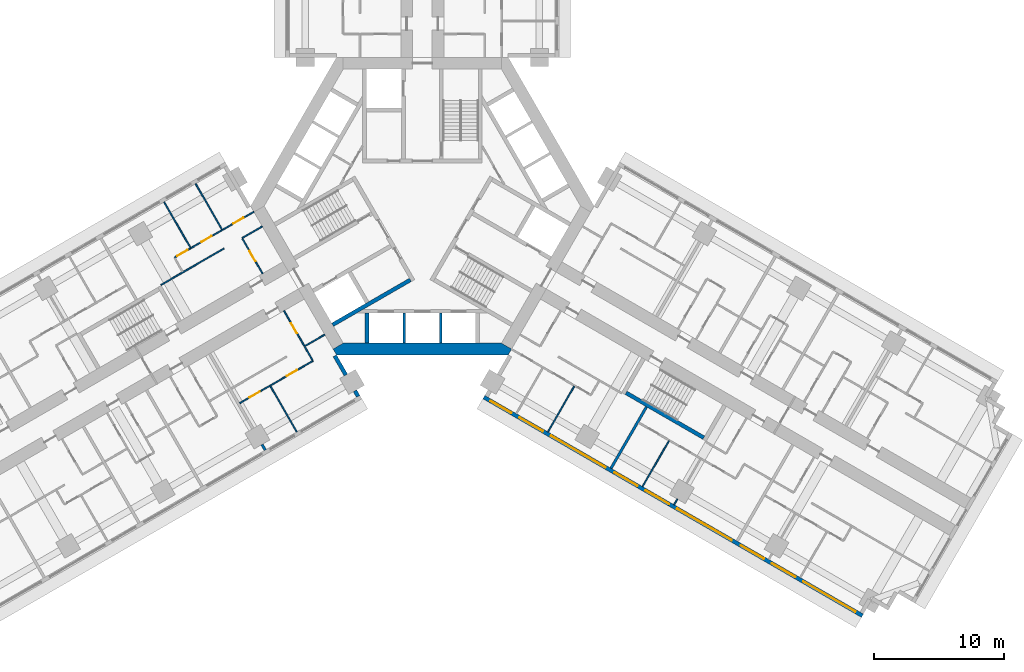
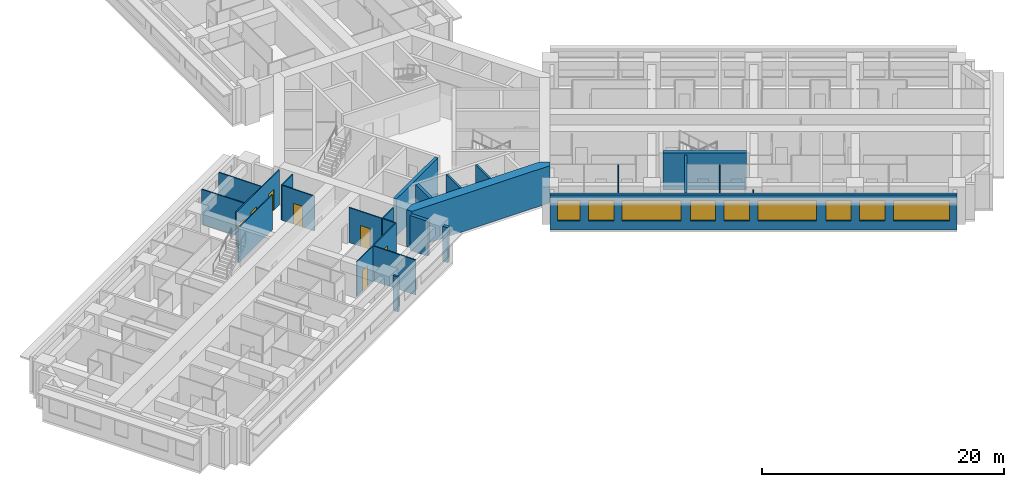
# One storey, part 6 of 16: 25 walls, 9 windows, 7 doors, 16 openings.
"""IFC4 building model written with IfcOpenShell, lengths in metres."""

from ifc_helpers import new_model, si_unit, direction, frame, frame_2d, origin, place, context, subcontext, project, spatial, polyline, rectangle, outline, extrude, material, layer, layer_set, type_object, element, fill, save


model = new_model("IFC4")

# Units and contexts
model_context = context("Model", 3, precision=1e-05, world=origin(), true_north=direction((0.0, 1.0)))
body_context = subcontext(model_context, "Body", "Model", "MODEL_VIEW")
ifc_project = project(units=[si_unit("LENGTHUNIT", "METRE"), si_unit("AREAUNIT", "SQUARE_METRE"), si_unit("VOLUMEUNIT", "CUBIC_METRE"), si_unit("PLANEANGLEUNIT", "RADIAN"), si_unit("MASSUNIT", "GRAM", prefix="KILO")], contexts=[model_context])

# Site, building, storey
site_placement = place(None, origin())
site = spatial("IfcSite", under=ifc_project, at=site_placement, CompositionType="ELEMENT")
building_placement = place(site_placement, origin())
building = spatial("IfcBuilding", under=site, at=building_placement, Name="Impinga Residences", CompositionType="ELEMENT")
storey_placement = place(building_placement, frame((0.0, 0.0, 59.75)))
storey = spatial("IfcBuildingStorey", under=building, at=storey_placement, Name="L14", CompositionType="ELEMENT", Elevation=59.75)

# Wall, openings, windows
ifc_material_1 = material(Name="Terracotta rainscreen on blockwork", Category="masonry")
ifc_layer_1 = layer(ifc_material_1, 0.300048828125)
ifc_layer_set_1 = layer_set([ifc_layer_1], Name="EW1 external wall, terracotta rainscreen on blockwork 300")
wall_type_1 = type_object("IfcWallType", Name="EW1 external wall, terracotta rainscreen on blockwork 300", PredefinedType="SOLIDWALL", material=ifc_layer_set_1)
wall_1_placement = place(storey_placement, frame((33.823486328125, -31.479248046875, 0.0), z_axis=(0.0, 0.0, 1.0), x_axis=(-0.866024291668, 0.500001926238, 0.0)))
wall_1 = element("IfcWall", 1, at=wall_1_placement, inside=storey, type_object=wall_type_1, Name="External wall EW1 L14", PredefinedType="SOLIDWALL", context=body_context, shape_type="SweptSolid", body=[
    extrude(rectangle(XDim=33.599853515625, YDim=0.300048828125, at=frame_2d((16.7998046875, 0.0))), origin(), (0.0, 0.0, 1.0), 3.530029296875),
])
opening_1_placement = place(wall_1_placement, frame((0.60009765625, 0.0, 0.89990234375)))
opening_1 = element("IfcOpeningElement", 2, at=opening_1_placement, cuts=wall_1, Name="Opening W10", PredefinedType="OPENING", context=body_context, shape_type="SweptSolid", body=[
    extrude(rectangle(XDim=4.64990234375, YDim=2.050048828125, at=frame_2d((2.324951171875, 1.02490234375))), frame((0.0, 0.159912109375, 0.0), z_axis=(0.0, -1.0, 0.0), x_axis=(1.0, 0.0, 0.0)), (0.0, 0.0, 1.0), 0.320068359375),
])
opening_2_placement = place(wall_1_placement, frame((5.949951171875, 0.0, 0.89990234375)))
opening_2 = element("IfcOpeningElement", 3, at=opening_2_placement, cuts=wall_1, Name="Opening W9", PredefinedType="OPENING", context=body_context, shape_type="SweptSolid", body=[
    extrude(rectangle(XDim=2.10009765625, YDim=2.050048828125, at=frame_2d((1.050048828125, 1.02490234375))), frame((0.0, 0.159912109375, 0.0), z_axis=(0.0, -1.0, 0.0), x_axis=(1.0, 0.0, 0.0)), (0.0, 0.0, 1.0), 0.320068359375),
])
opening_3_placement = place(wall_1_placement, frame((8.75, 0.0, 0.89990234375)))
opening_3 = element("IfcOpeningElement", 4, at=opening_3_placement, cuts=wall_1, Name="Opening W14", PredefinedType="OPENING", context=body_context, shape_type="SweptSolid", body=[
    extrude(rectangle(XDim=2.050048828125, YDim=2.050048828125, at=frame_2d((1.02490234375, 1.02490234375))), frame((0.0, 0.159912109375, 0.0), z_axis=(0.0, -1.0, 0.0), x_axis=(1.0, 0.0, 0.0)), (0.0, 0.0, 1.0), 0.320068359375),
])
opening_4_placement = place(wall_1_placement, frame((11.60009765625, 0.0, 0.89990234375)))
opening_4 = element("IfcOpeningElement", 5, at=opening_4_placement, cuts=wall_1, Name="Opening W6", PredefinedType="OPENING", context=body_context, shape_type="SweptSolid", body=[
    extrude(rectangle(XDim=4.85009765625, YDim=2.050048828125, at=frame_2d((2.425048828125, 1.02490234375))), frame((0.0, 0.159912109375, 0.0), z_axis=(0.0, -1.0, 0.0), x_axis=(1.0, 0.0, 0.0)), (0.0, 0.0, 1.0), 0.320068359375),
])
opening_5_placement = place(wall_1_placement, frame((17.14990234375, 0.0, 0.89990234375)))
opening_5 = element("IfcOpeningElement", 6, at=opening_5_placement, cuts=wall_1, Name="Opening W9", PredefinedType="OPENING", context=body_context, shape_type="SweptSolid", body=[
    extrude(rectangle(XDim=2.10009765625, YDim=2.050048828125, at=frame_2d((1.050048828125, 1.02490234375))), frame((0.0, 0.159912109375, 0.0), z_axis=(0.0, -1.0, 0.0), x_axis=(1.0, 0.0, 0.0)), (0.0, 0.0, 1.0), 0.320068359375),
])
opening_6_placement = place(wall_1_placement, frame((19.949951171875, 0.0, 0.89990234375)))
opening_6 = element("IfcOpeningElement", 7, at=opening_6_placement, cuts=wall_1, Name="Opening W14", PredefinedType="OPENING", context=body_context, shape_type="SweptSolid", body=[
    extrude(rectangle(XDim=2.050048828125, YDim=2.050048828125, at=frame_2d((1.02490234375, 1.02490234375))), frame((0.0, 0.159912109375, 0.0), z_axis=(0.0, -1.0, 0.0), x_axis=(1.0, 0.0, 0.0)), (0.0, 0.0, 1.0), 0.320068359375),
])
opening_7_placement = place(wall_1_placement, frame((22.800048828125, 0.0, 0.89990234375)))
opening_7 = element("IfcOpeningElement", 8, at=opening_7_placement, cuts=wall_1, Name="Opening W6", PredefinedType="OPENING", context=body_context, shape_type="SweptSolid", body=[
    extrude(rectangle(XDim=4.85009765625, YDim=2.050048828125, at=frame_2d((2.425048828125, 1.02490234375))), frame((0.0, 0.159912109375, 0.0), z_axis=(0.0, -1.0, 0.0), x_axis=(1.0, 0.0, 0.0)), (0.0, 0.0, 1.0), 0.320068359375),
])
opening_8_placement = place(wall_1_placement, frame((28.35009765625, 0.0, 0.89990234375)))
opening_8 = element("IfcOpeningElement", 9, at=opening_8_placement, cuts=wall_1, Name="Opening W9", PredefinedType="OPENING", context=body_context, shape_type="SweptSolid", body=[
    extrude(rectangle(XDim=2.10009765625, YDim=2.050048828125, at=frame_2d((1.050048828125, 1.02490234375))), frame((0.0, 0.159912109375, 0.0), z_axis=(0.0, -1.0, 0.0), x_axis=(1.0, 0.0, 0.0)), (0.0, 0.0, 1.0), 0.320068359375),
])
opening_9_placement = place(wall_1_placement, frame((31.14990234375, 0.0, 0.89990234375)))
opening_9 = element("IfcOpeningElement", 10, at=opening_9_placement, cuts=wall_1, Name="Opening W15", PredefinedType="OPENING", context=body_context, shape_type="SweptSolid", body=[
    extrude(rectangle(XDim=1.85009765625, YDim=2.050048828125, at=frame_2d((0.925048828125, 1.02490234375))), frame((0.0, 0.159912109375, 0.0), z_axis=(0.0, -1.0, 0.0), x_axis=(1.0, 0.0, 0.0)), (0.0, 0.0, 1.0), 0.320068359375),
])
ifc_material_2 = material(Name="Aluminium window, clear double glazing", Category="aluminium")
window_type_1 = type_object("IfcWindowType", Name="W10 ribbon window 4650x2050", PartitioningType="SINGLE_PANEL", PredefinedType="WINDOW", material=ifc_material_2)
window_1_placement = place(opening_1_placement, origin())
window_1 = element("IfcWindow", 11, at=window_1_placement, inside=storey, type_object=window_type_1, Name="Window L14", OverallHeight=2.050048828125, OverallWidth=4.64990234375, PartitioningType="SINGLE_PANEL", PredefinedType="WINDOW", context=body_context, shape_type="SweptSolid", body=[
    extrude(rectangle(XDim=4.64990234375, YDim=2.050048828125, at=frame_2d((2.324951171875, 1.02490234375))), frame((0.0, 0.030029296875, 0.0), z_axis=(0.0, -1.0, 0.0), x_axis=(1.0, 0.0, 0.0)), (0.0, 0.0, 1.0), 0.06005859375),
])
fill(opening_1, window_1)
window_type_2 = type_object("IfcWindowType", Name="W14 ribbon window 2050x2050", PartitioningType="SINGLE_PANEL", PredefinedType="WINDOW", material=ifc_material_2)
window_2_placement = place(opening_3_placement, origin())
window_2 = element("IfcWindow", 12, at=window_2_placement, inside=storey, type_object=window_type_2, Name="Window L14", OverallHeight=2.050048828125, OverallWidth=2.050048828125, PartitioningType="SINGLE_PANEL", PredefinedType="WINDOW", context=body_context, shape_type="SweptSolid", body=[
    extrude(rectangle(XDim=2.050048828125, YDim=2.050048828125, at=frame_2d((1.02490234375, 1.02490234375))), frame((0.0, 0.030029296875, 0.0), z_axis=(0.0, -1.0, 0.0), x_axis=(1.0, 0.0, 0.0)), (0.0, 0.0, 1.0), 0.06005859375),
])
fill(opening_3, window_2)
window_3_placement = place(opening_6_placement, origin())
window_3 = element("IfcWindow", 13, at=window_3_placement, inside=storey, type_object=window_type_2, Name="Window L14", OverallHeight=2.050048828125, OverallWidth=2.050048828125, PartitioningType="SINGLE_PANEL", PredefinedType="WINDOW", context=body_context, shape_type="SweptSolid", body=[
    extrude(rectangle(XDim=2.050048828125, YDim=2.050048828125, at=frame_2d((1.02490234375, 1.02490234375))), frame((0.0, 0.030029296875, 0.0), z_axis=(0.0, -1.0, 0.0), x_axis=(1.0, 0.0, 0.0)), (0.0, 0.0, 1.0), 0.06005859375),
])
fill(opening_6, window_3)
window_type_3 = type_object("IfcWindowType", Name="W15 ribbon window 1850x2050", PartitioningType="SINGLE_PANEL", PredefinedType="WINDOW", material=ifc_material_2)
window_4_placement = place(opening_9_placement, origin())
window_4 = element("IfcWindow", 14, at=window_4_placement, inside=storey, type_object=window_type_3, Name="Window L14", OverallHeight=2.050048828125, OverallWidth=1.85009765625, PartitioningType="SINGLE_PANEL", PredefinedType="WINDOW", context=body_context, shape_type="SweptSolid", body=[
    extrude(rectangle(XDim=1.85009765625, YDim=2.050048828125, at=frame_2d((0.925048828125, 1.02490234375))), frame((0.0, 0.030029296875, 0.0), z_axis=(0.0, -1.0, 0.0), x_axis=(1.0, 0.0, 0.0)), (0.0, 0.0, 1.0), 0.06005859375),
])
fill(opening_9, window_4)
window_type_4 = type_object("IfcWindowType", Name="W6 ribbon window 4850x2050", PartitioningType="SINGLE_PANEL", PredefinedType="WINDOW", material=ifc_material_2)
window_5_placement = place(opening_4_placement, origin())
window_5 = element("IfcWindow", 15, at=window_5_placement, inside=storey, type_object=window_type_4, Name="Window L14", OverallHeight=2.050048828125, OverallWidth=4.85009765625, PartitioningType="SINGLE_PANEL", PredefinedType="WINDOW", context=body_context, shape_type="SweptSolid", body=[
    extrude(rectangle(XDim=4.85009765625, YDim=2.050048828125, at=frame_2d((2.425048828125, 1.02490234375))), frame((0.0, 0.030029296875, 0.0), z_axis=(0.0, -1.0, 0.0), x_axis=(1.0, 0.0, 0.0)), (0.0, 0.0, 1.0), 0.06005859375),
])
fill(opening_4, window_5)
window_6_placement = place(opening_7_placement, origin())
window_6 = element("IfcWindow", 16, at=window_6_placement, inside=storey, type_object=window_type_4, Name="Window L14", OverallHeight=2.050048828125, OverallWidth=4.85009765625, PartitioningType="SINGLE_PANEL", PredefinedType="WINDOW", context=body_context, shape_type="SweptSolid", body=[
    extrude(rectangle(XDim=4.85009765625, YDim=2.050048828125, at=frame_2d((2.425048828125, 1.02490234375))), frame((0.0, 0.030029296875, 0.0), z_axis=(0.0, -1.0, 0.0), x_axis=(1.0, 0.0, 0.0)), (0.0, 0.0, 1.0), 0.06005859375),
])
fill(opening_7, window_6)
window_type_5 = type_object("IfcWindowType", Name="W9 ribbon window 2100x2050", PartitioningType="SINGLE_PANEL", PredefinedType="WINDOW", material=ifc_material_2)
window_7_placement = place(opening_2_placement, origin())
window_7 = element("IfcWindow", 17, at=window_7_placement, inside=storey, type_object=window_type_5, Name="Window L14", OverallHeight=2.050048828125, OverallWidth=2.10009765625, PartitioningType="SINGLE_PANEL", PredefinedType="WINDOW", context=body_context, shape_type="SweptSolid", body=[
    extrude(rectangle(XDim=2.10009765625, YDim=2.050048828125, at=frame_2d((1.050048828125, 1.02490234375))), frame((0.0, 0.030029296875, 0.0), z_axis=(0.0, -1.0, 0.0), x_axis=(1.0, 0.0, 0.0)), (0.0, 0.0, 1.0), 0.06005859375),
])
fill(opening_2, window_7)
window_8_placement = place(opening_5_placement, origin())
window_8 = element("IfcWindow", 18, at=window_8_placement, inside=storey, type_object=window_type_5, Name="Window L14", OverallHeight=2.050048828125, OverallWidth=2.10009765625, PartitioningType="SINGLE_PANEL", PredefinedType="WINDOW", context=body_context, shape_type="SweptSolid", body=[
    extrude(rectangle(XDim=2.10009765625, YDim=2.050048828125, at=frame_2d((1.050048828125, 1.02490234375))), frame((0.0, 0.030029296875, 0.0), z_axis=(0.0, -1.0, 0.0), x_axis=(1.0, 0.0, 0.0)), (0.0, 0.0, 1.0), 0.06005859375),
])
fill(opening_5, window_8)
window_9_placement = place(opening_8_placement, origin())
window_9 = element("IfcWindow", 19, at=window_9_placement, inside=storey, type_object=window_type_5, Name="Window L14", OverallHeight=2.050048828125, OverallWidth=2.10009765625, PartitioningType="SINGLE_PANEL", PredefinedType="WINDOW", context=body_context, shape_type="SweptSolid", body=[
    extrude(rectangle(XDim=2.10009765625, YDim=2.050048828125, at=frame_2d((1.050048828125, 1.02490234375))), frame((0.0, 0.030029296875, 0.0), z_axis=(0.0, -1.0, 0.0), x_axis=(1.0, 0.0, 0.0)), (0.0, 0.0, 1.0), 0.06005859375),
])
fill(opening_8, window_9)

# Walls
wall_2_placement = place(storey_placement, frame((-6.72998046875, -11.506591796875, 0.0), z_axis=(0.0, 0.0, 1.0), x_axis=(0.500062241894, -0.865989465428, 0.0)))
element("IfcWall", 20, at=wall_2_placement, inside=storey, type_object=wall_type_1, Name="External wall EW1 L14", PredefinedType="SOLIDWALL", context=body_context, shape_type="SweptSolid", body=[
    extrude(rectangle(XDim=1.699951171875, YDim=0.300048828125, at=frame_2d((0.85009765625, 0.0))), origin(), (0.0, 0.0, 1.0), 3.530029296875),
])
wall_3_placement = place(storey_placement, frame((-5.179931640625, -14.191162109375, 0.0), z_axis=(0.0, 0.0, 1.0), x_axis=(0.499919672301, -0.866071776036, 0.0)))
element("IfcWall", 21, at=wall_3_placement, inside=storey, type_object=wall_type_1, Name="External wall EW1 L14", PredefinedType="SOLIDWALL", context=body_context, shape_type="SweptSolid", body=[
    extrude(rectangle(XDim=0.5, YDim=0.300048828125, at=frame_2d((0.25, 0.0))), origin(), (0.0, 0.0, 1.0), 3.530029296875),
])
ifc_material_3 = material(Name="Gypsum board on steel studs", Category="steel")
ifc_layer_2 = layer(ifc_material_3, 0.10009765625)
ifc_layer_set_2 = layer_set([ifc_layer_2], Name="Gypsum board on steel studs")
wall_type_2 = type_object("IfcWallType", Name="IP1 partition 100", PredefinedType="PARTITIONING", material=ifc_layer_set_2)
wall_4_placement = place(storey_placement, frame((-7.5, -9.872802734375, 0.0), z_axis=(0.0, 0.0, 1.0), x_axis=(-0.866047807691, -0.499961193289, 0.0)))
element("IfcWall", 22, at=wall_4_placement, inside=storey, type_object=wall_type_2, Name="Partition L14-WA1:DIV0", PredefinedType="PARTITIONING", context=body_context, shape_type="SweptSolid", body=[
    extrude(rectangle(XDim=1.800048828125, YDim=0.10009765625, at=frame_2d((0.89990234375, 0.0))), origin(), (0.0, 0.0, 1.0), 3.530029296875),
])

# Wall, openings, doors
wall_5_placement = place(storey_placement, frame((-8.408935546875, -11.8984375, 0.0), z_axis=(0.0, 0.0, 1.0), x_axis=(-0.866024837091, -0.50000098154, 0.0)))
wall_5 = element("IfcWall", 23, at=wall_5_placement, inside=storey, type_object=wall_type_2, Name="Partition L14-WA1:STRIP", PredefinedType="PARTITIONING", context=body_context, shape_type="SweptSolid", body=[
    extrude(rectangle(XDim=6.5, YDim=0.10009765625, at=frame_2d((3.25, 0.0))), origin(), (0.0, 0.0, 1.0), 3.530029296875),
])
opening_10_placement = place(wall_5_placement, frame((1.425048828125, 0.0, 0.0)))
opening_10 = element("IfcOpeningElement", 24, at=opening_10_placement, cuts=wall_5, Name="Opening D2", PredefinedType="OPENING", context=body_context, shape_type="SweptSolid", body=[
    extrude(rectangle(XDim=0.89990234375, YDim=2.10009765625, at=frame_2d((0.449951171875, 1.050048828125))), frame((0.0, 0.06005859375, 0.0), z_axis=(0.0, -1.0, 0.0), x_axis=(1.0, 0.0, 0.0)), (0.0, 0.0, 1.0), 0.1201171875),
])
opening_11_placement = place(wall_5_placement, frame((4.72509765625, 0.0, 0.0)))
opening_11 = element("IfcOpeningElement", 25, at=opening_11_placement, cuts=wall_5, Name="Opening D2", PredefinedType="OPENING", context=body_context, shape_type="SweptSolid", body=[
    extrude(rectangle(XDim=0.89990234375, YDim=2.10009765625, at=frame_2d((0.449951171875, 1.050048828125))), frame((0.0, 0.06005859375, 0.0), z_axis=(0.0, -1.0, 0.0), x_axis=(1.0, 0.0, 0.0)), (0.0, 0.0, 1.0), 0.1201171875),
])
ifc_material_4 = material(Name="Timber door set", Category="wood")
door_type = type_object("IfcDoorType", Name="D2 internal door 900x2100", OperationType="SINGLE_SWING_LEFT", PredefinedType="DOOR", material=ifc_material_4)
door_1_placement = place(opening_10_placement, origin())
door_1 = element("IfcDoor", 26, at=door_1_placement, inside=storey, type_object=door_type, Name="Apartment L14-WA1 room door", OperationType="SINGLE_SWING_LEFT", OverallHeight=2.10009765625, OverallWidth=0.89990234375, PredefinedType="DOOR", context=body_context, shape_type="SweptSolid", body=[
    extrude(rectangle(XDim=0.89990234375, YDim=2.10009765625, at=frame_2d((0.449951171875, 1.050048828125))), frame((0.0, 0.02490234375, 0.0), z_axis=(0.0, -1.0, 0.0), x_axis=(1.0, 0.0, 0.0)), (0.0, 0.0, 1.0), 0.050048828125),
])
fill(opening_10, door_1)
door_2_placement = place(opening_11_placement, origin())
door_2 = element("IfcDoor", 27, at=door_2_placement, inside=storey, type_object=door_type, Name="Apartment L14-WA1 room door", OperationType="SINGLE_SWING_RIGHT", OverallHeight=2.10009765625, OverallWidth=0.89990234375, PredefinedType="DOOR", context=body_context, shape_type="SweptSolid", body=[
    extrude(rectangle(XDim=0.89990234375, YDim=2.10009765625, at=frame_2d((0.449951171875, 1.050048828125))), frame((0.0, 0.02490234375, 0.0), z_axis=(0.0, -1.0, 0.0), x_axis=(1.0, 0.0, 0.0)), (0.0, 0.0, 1.0), 0.050048828125),
])
fill(opening_11, door_2)

# Wall
wall_6_placement = place(storey_placement, frame((-9.033935546875, -10.81591796875, 0.0), z_axis=(0.0, 0.0, 1.0), x_axis=(0.500033551112, -0.866006032174, 0.0)))
element("IfcWall", 28, at=wall_6_placement, inside=storey, type_object=wall_type_2, Name="Partition L14-WA1:SE0", PredefinedType="PARTITIONING", context=body_context, shape_type="SweptSolid", body=[
    extrude(rectangle(XDim=1.2001953125, YDim=0.10009765625, at=frame_2d((0.60009765625, 0.0))), origin(), (0.0, 0.0, 1.0), 3.530029296875),
])

# Wall, opening, door
wall_7_placement = place(storey_placement, frame((-10.6337890625, -8.044677734375, 0.0), z_axis=(0.0, 0.0, 1.0), x_axis=(0.49999285859, -0.86602952684, 0.0)))
wall_7 = element("IfcWall", 29, at=wall_7_placement, inside=storey, type_object=wall_type_2, Name="Partition L14-WA1:IB1", PredefinedType="PARTITIONING", context=body_context, shape_type="SweptSolid", body=[
    extrude(rectangle(XDim=3.10009765625, YDim=0.10009765625, at=frame_2d((1.550048828125, 0.0))), origin(), (0.0, 0.0, 1.0), 3.530029296875),
])
opening_12_placement = place(wall_7_placement, frame((1.10009765625, 0.0, 0.0)))
opening_12 = element("IfcOpeningElement", 30, at=opening_12_placement, cuts=wall_7, Name="Opening D2", PredefinedType="OPENING", context=body_context, shape_type="SweptSolid", body=[
    extrude(rectangle(XDim=0.89990234375, YDim=2.10009765625, at=frame_2d((0.449951171875, 1.050048828125))), frame((0.0, 0.06005859375, 0.0), z_axis=(0.0, -1.0, 0.0), x_axis=(1.0, 0.0, 0.0)), (0.0, 0.0, 1.0), 0.1201171875),
])
door_3_placement = place(opening_12_placement, origin())
door_3 = element("IfcDoor", 31, at=door_3_placement, inside=storey, type_object=door_type, Name="Apartment L14-WA1 bathroom door", OperationType="SINGLE_SWING_LEFT", OverallHeight=2.10009765625, OverallWidth=0.89990234375, PredefinedType="DOOR", context=body_context, shape_type="SweptSolid", body=[
    extrude(rectangle(XDim=0.89990234375, YDim=2.10009765625, at=frame_2d((0.449951171875, 1.050048828125))), frame((0.0, 0.02490234375, 0.0), z_axis=(0.0, -1.0, 0.0), x_axis=(1.0, 0.0, 0.0)), (0.0, 0.0, 1.0), 0.050048828125),
])
fill(opening_12, door_3)

# Walls
wall_8_placement = place(storey_placement, frame((-11.6748046875, -13.841796875, 0.0), z_axis=(0.0, 0.0, 1.0), x_axis=(0.500035537042, -0.866004885491, 0.0)))
element("IfcWall", 32, at=wall_8_placement, inside=storey, type_object=wall_type_2, Name="Partition L14-WA1:OB1", PredefinedType="PARTITIONING", context=body_context, shape_type="SweptSolid", body=[
    extrude(rectangle(XDim=4.050048828125, YDim=0.10009765625, at=frame_2d((2.02490234375, 0.0))), origin(), (0.0, 0.0, 1.0), 3.530029296875),
])
wall_9_placement = place(storey_placement, frame((-12.300048828125, -1.558837890625, 0.0), z_axis=(0.0, 0.0, 1.0), x_axis=(-0.866047807691, -0.499961193289, 0.0)))
element("IfcWall", 33, at=wall_9_placement, inside=storey, type_object=wall_type_2, Name="Partition L14-WF1:DIV0", PredefinedType="PARTITIONING", context=body_context, shape_type="SweptSolid", body=[
    extrude(rectangle(XDim=1.800048828125, YDim=0.10009765625, at=frame_2d((0.89990234375, 0.0))), origin(), (0.0, 0.0, 1.0), 3.530029296875),
])
wall_10_placement = place(storey_placement, frame((-15.244384765625, -3.2587890625, 0.0), z_axis=(0.0, 0.0, 1.0), x_axis=(-0.866026594901, -0.49999793692, 0.0)))
element("IfcWall", 34, at=wall_10_placement, inside=storey, type_object=wall_type_2, Name="Partition L14-WF1:DIV1", PredefinedType="PARTITIONING", context=body_context, shape_type="SweptSolid", body=[
    extrude(rectangle(XDim=5.60009765625, YDim=0.10009765625, at=frame_2d((2.800048828125, 0.0))), origin(), (0.0, 0.0, 1.0), 3.530029296875),
])

# Wall, openings, doors
wall_11_placement = place(storey_placement, frame((-12.949951171875, -0.43310546875, 0.0), z_axis=(0.0, 0.0, 1.0), x_axis=(-0.866031034943, -0.499990246421, 0.0)))
wall_11 = element("IfcWall", 35, at=wall_11_placement, inside=storey, type_object=wall_type_2, Name="Partition L14-WF1:STRIP", PredefinedType="PARTITIONING", context=body_context, shape_type="SweptSolid", body=[
    extrude(rectangle(XDim=7.050048828125, YDim=0.10009765625, at=frame_2d((3.52490234375, 0.0))), origin(), (0.0, 0.0, 1.0), 3.530029296875),
])
opening_13_placement = place(wall_11_placement, frame((0.925048828125, 0.0, 0.0)))
opening_13 = element("IfcOpeningElement", 36, at=opening_13_placement, cuts=wall_11, Name="Opening D2", PredefinedType="OPENING", context=body_context, shape_type="SweptSolid", body=[
    extrude(rectangle(XDim=0.89990234375, YDim=2.10009765625, at=frame_2d((0.449951171875, 1.050048828125))), frame((0.0, 0.06005859375, 0.0), z_axis=(0.0, -1.0, 0.0), x_axis=(1.0, 0.0, 0.0)), (0.0, 0.0, 1.0), 0.1201171875),
])
opening_14_placement = place(wall_11_placement, frame((3.75, 0.0, 0.0)))
opening_14 = element("IfcOpeningElement", 37, at=opening_14_placement, cuts=wall_11, Name="Opening D2", PredefinedType="OPENING", context=body_context, shape_type="SweptSolid", body=[
    extrude(rectangle(XDim=0.89990234375, YDim=2.10009765625, at=frame_2d((0.449951171875, 1.050048828125))), frame((0.0, 0.06005859375, 0.0), z_axis=(0.0, -1.0, 0.0), x_axis=(1.0, 0.0, 0.0)), (0.0, 0.0, 1.0), 0.1201171875),
])
opening_15_placement = place(wall_11_placement, frame((5.89990234375, 0.0, 0.0)))
opening_15 = element("IfcOpeningElement", 38, at=opening_15_placement, cuts=wall_11, Name="Opening D2", PredefinedType="OPENING", context=body_context, shape_type="SweptSolid", body=[
    extrude(rectangle(XDim=0.89990234375, YDim=2.10009765625, at=frame_2d((0.449951171875, 1.050048828125))), frame((0.0, 0.06005859375, 0.0), z_axis=(0.0, -1.0, 0.0), x_axis=(1.0, 0.0, 0.0)), (0.0, 0.0, 1.0), 0.1201171875),
])
door_4_placement = place(opening_13_placement, origin())
door_4 = element("IfcDoor", 39, at=door_4_placement, inside=storey, type_object=door_type, Name="Apartment L14-WF1 room door", OperationType="SINGLE_SWING_LEFT", OverallHeight=2.10009765625, OverallWidth=0.89990234375, PredefinedType="DOOR", context=body_context, shape_type="SweptSolid", body=[
    extrude(rectangle(XDim=0.89990234375, YDim=2.10009765625, at=frame_2d((0.449951171875, 1.050048828125))), frame((0.0, 0.02490234375, 0.0), z_axis=(0.0, -1.0, 0.0), x_axis=(1.0, 0.0, 0.0)), (0.0, 0.0, 1.0), 0.050048828125),
])
fill(opening_13, door_4)
door_5_placement = place(opening_14_placement, origin())
door_5 = element("IfcDoor", 40, at=door_5_placement, inside=storey, type_object=door_type, Name="Apartment L14-WF1 room door", OperationType="SINGLE_SWING_RIGHT", OverallHeight=2.10009765625, OverallWidth=0.89990234375, PredefinedType="DOOR", context=body_context, shape_type="SweptSolid", body=[
    extrude(rectangle(XDim=0.89990234375, YDim=2.10009765625, at=frame_2d((0.449951171875, 1.050048828125))), frame((0.0, 0.02490234375, 0.0), z_axis=(0.0, -1.0, 0.0), x_axis=(1.0, 0.0, 0.0)), (0.0, 0.0, 1.0), 0.050048828125),
])
fill(opening_14, door_5)
door_6_placement = place(opening_15_placement, origin())
door_6 = element("IfcDoor", 41, at=door_6_placement, inside=storey, type_object=door_type, Name="Apartment L14-WF1 room door", OperationType="SINGLE_SWING_RIGHT", OverallHeight=2.10009765625, OverallWidth=0.89990234375, PredefinedType="DOOR", context=body_context, shape_type="SweptSolid", body=[
    extrude(rectangle(XDim=0.89990234375, YDim=2.10009765625, at=frame_2d((0.449951171875, 1.050048828125))), frame((0.0, 0.02490234375, 0.0), z_axis=(0.0, -1.0, 0.0), x_axis=(1.0, 0.0, 0.0)), (0.0, 0.0, 1.0), 0.050048828125),
])
fill(opening_15, door_6)

# Wall, opening, door
wall_12_placement = place(storey_placement, frame((-12.283935546875, -5.186767578125, 0.0), z_axis=(0.0, 0.0, 1.0), x_axis=(-0.499967891604, 0.866043940782, 0.0)))
wall_12 = element("IfcWall", 42, at=wall_12_placement, inside=storey, type_object=wall_type_2, Name="Partition L14-WF1:IB1", PredefinedType="PARTITIONING", context=body_context, shape_type="SweptSolid", body=[
    extrude(rectangle(XDim=3.099853515625, YDim=0.10009765625, at=frame_2d((1.5498046875, 0.0))), origin(), (0.0, 0.0, 1.0), 3.530029296875),
])
opening_16_placement = place(wall_12_placement, frame((1.10009765625, 0.0, 0.0)))
opening_16 = element("IfcOpeningElement", 43, at=opening_16_placement, cuts=wall_12, Name="Opening D2", PredefinedType="OPENING", context=body_context, shape_type="SweptSolid", body=[
    extrude(rectangle(XDim=0.89990234375, YDim=2.10009765625, at=frame_2d((0.449951171875, 1.050048828125))), frame((0.0, 0.06005859375, 0.0), z_axis=(0.0, -1.0, 0.0), x_axis=(1.0, 0.0, 0.0)), (0.0, 0.0, 1.0), 0.1201171875),
])
door_7_placement = place(opening_16_placement, origin())
door_7 = element("IfcDoor", 44, at=door_7_placement, inside=storey, type_object=door_type, Name="Apartment L14-WF1 bathroom door", OperationType="SINGLE_SWING_LEFT", OverallHeight=2.10009765625, OverallWidth=0.89990234375, PredefinedType="DOOR", context=body_context, shape_type="SweptSolid", body=[
    extrude(rectangle(XDim=0.89990234375, YDim=2.10009765625, at=frame_2d((0.449951171875, 1.050048828125))), frame((0.0, 0.02490234375, 0.0), z_axis=(0.0, -1.0, 0.0), x_axis=(1.0, 0.0, 0.0)), (0.0, 0.0, 1.0), 0.050048828125),
])
fill(opening_16, door_7)

# Walls
for number, where, z_axis, x_axis, name in (
    (45, (-15.39990234375, -1.789794921875, 0.0), (0.0, 0.0, 1.0), (-0.499964223975, 0.866046058097, 0.0), "Partition L14-WF1:OB1"),
    (46, (-17.82470703125, -3.189697265625, 0.0), (0.0, 0.0, 1.0), (-0.500035537042, 0.866004885491, 0.0), "Partition L14-WF1:OB2"),
    (47, (11.6748046875, -13.841796875, 0.0), (0.0, 0.0, 1.0), (-0.500035537042, -0.866004885491, 0.0), "Partition L14-EF1:OB2"),
):
    element("IfcWall", number, at=place(storey_placement, frame(where, z_axis=z_axis, x_axis=x_axis)), inside=storey, type_object=wall_type_2, Name=name, PredefinedType="PARTITIONING", context=body_context, shape_type="SweptSolid", body=[
        extrude(rectangle(XDim=4.050048828125, YDim=0.10009765625, at=frame_2d((2.02490234375, 0.0))), origin(), (0.0, 0.0, 1.0), 3.530029296875),
    ])
wall_13_placement = place(storey_placement, frame((18.949462890625, -18.041748046875, 0.0), z_axis=(0.0, 0.0, 1.0), x_axis=(-0.50000943426, -0.866019956843, 0.0)))
element("IfcWall", 48, at=wall_13_placement, inside=storey, type_object=wall_type_2, Name="Partition L14-EF2:OB1", PredefinedType="PARTITIONING", context=body_context, shape_type="SweptSolid", body=[
    extrude(rectangle(XDim=4.05029296875, YDim=0.10009765625, at=frame_2d((2.025146484375, 0.0))), origin(), (0.0, 0.0, 1.0), 3.530029296875),
])
wall_14_placement = place(storey_placement, frame((19.59912109375, -22.51611328125, 0.0), z_axis=(0.0, 0.0, 1.0), x_axis=(-0.499919672301, -0.866071776036, 0.0)))
element("IfcWall", 49, at=wall_14_placement, inside=storey, type_object=wall_type_2, Name="Partition L14-EF2:OB2b", PredefinedType="PARTITIONING", context=body_context, shape_type="SweptSolid", body=[
    extrude(rectangle(XDim=0.5, YDim=0.10009765625, at=frame_2d((0.25, 0.0))), origin(), (0.0, 0.0, 1.0), 3.530029296875),
])
ifc_material_5 = material(Name="Concrete blockwork", Category="masonry")
ifc_layer_3 = layer(ifc_material_5, 0.199951171875)
ifc_layer_set_3 = layer_set([ifc_layer_3], Name="PW1 party wall between apartments 200")
wall_type_3 = type_object("IfcWallType", Name="PW1 party wall between apartments 200", PredefinedType="SOLIDWALL", material=ifc_layer_set_3)
wall_15_placement = place(storey_placement, frame((-12.32470703125, -18.316162109375, 0.0), z_axis=(0.0, 0.0, 1.0), x_axis=(0.499919672301, -0.866071776036, 0.0)))
element("IfcWall", 50, at=wall_15_placement, inside=storey, type_object=wall_type_3, Name="Party wall between apartments L14-WA1:PARTYb", PredefinedType="SOLIDWALL", context=body_context, shape_type="SweptSolid", body=[
    extrude(rectangle(XDim=0.5, YDim=0.199951171875, at=frame_2d((0.25, 0.0))), origin(), (0.0, 0.0, 1.0), 3.530029296875),
])
wall_16_placement = place(storey_placement, frame((17.224365234375, -15.429443359375, 0.0), z_axis=(0.0, 0.0, 1.0), x_axis=(-0.499988730927, -0.866031909889, 0.0)))
element("IfcWall", 51, at=wall_16_placement, inside=storey, type_object=wall_type_3, Name="Party wall between apartments L14-EF1:PARTY", PredefinedType="SOLIDWALL", context=body_context, shape_type="SweptSolid", body=[
    extrude(rectangle(XDim=5.449951171875, YDim=0.199951171875, at=frame_2d((2.72509765625, 0.0))), origin(), (0.0, 0.0, 1.0), 3.530029296875),
])
ifc_material_6 = material(Name="Concrete C60/75", Category="concrete")
ifc_layer_4 = layer(ifc_material_6, 0.300048828125)
ifc_layer_set_4 = layer_set([ifc_layer_4], Name="Concrete C60/75")
wall_type_4 = type_object("IfcWallType", Name="SE1 wing stair enclosure wall 300", PredefinedType="SOLIDWALL", material=ifc_layer_set_4)
wall_17_placement = place(storey_placement, frame((15.654052734375, -14.349365234375, 0.0), z_axis=(0.0, 0.0, 1.0), x_axis=(0.866013532718, -0.500020560727, 0.0)))
element("IfcWall", 52, at=wall_17_placement, inside=storey, type_object=wall_type_4, Name="Stair enclosure wall SE1 E OUT L14", PredefinedType="SOLIDWALL", context=body_context, shape_type="SweptSolid", body=[
    extrude(rectangle(XDim=6.900146484375, YDim=0.300048828125, at=frame_2d((3.4501953125, 0.0))), origin(), (0.0, 0.0, 1.0), 3.75),
])
ifc_material_7 = material(Name="Concrete C70/85", Category="concrete")
ifc_layer_5 = layer(ifc_material_7, 0.89990234375)
ifc_layer_set_5 = layer_set([ifc_layer_5], Name="Concrete C70/85")
wall_type_5 = type_object("IfcWallType", Name="SW1 core wall 900", PredefinedType="SHEAR", material=ifc_layer_set_5)
wall_18_placement = place(storey_placement, origin())
element("IfcWall", 53, at=wall_18_placement, inside=storey, type_object=wall_type_5, Name="Core wall SW1 N:EXPOSED L14", PredefinedType="SHEAR", context=body_context, shape_type="SweptSolid", body=[
    extrude(outline(polyline([(-6.60009765625, -11.431640625), (6.60009765625, -11.431640625), (6.85986328125, -10.9814453125), (6.080322265625, -10.531494140625), (-6.080322265625, -10.531494140625), (-6.85986328125, -10.9814453125), (-6.60009765625, -11.431640625)])), origin(), (0.0, 0.0, 1.0), 3.75),
])
ifc_layer_6 = layer(ifc_material_7, 0.300048828125)
ifc_layer_set_6 = layer_set([ifc_layer_6], Name="Concrete C70/85")
wall_type_6 = type_object("IfcWallType", Name="SW5 core inner wall, stairs, shafts and lobbies 300", PredefinedType="SHEAR", material=ifc_layer_set_6)
wall_19_placement = place(storey_placement, frame((-0.918701171875, -5.668701171875, 0.0), z_axis=(0.0, 0.0, 1.0), x_axis=(-0.866011800373, -0.500023561059, 0.0)))
element("IfcWall", 54, at=wall_19_placement, inside=storey, type_object=wall_type_6, Name="Core wall SW5 W:FF-OUT L14", PredefinedType="SHEAR", context=body_context, shape_type="SweptSolid", body=[
    extrude(rectangle(XDim=6.901611328125, YDim=0.300048828125, at=frame_2d((3.45068359375, 0.0))), origin(), (0.0, 0.0, 1.0), 3.75),
])
wall_20_placement = place(storey_placement, frame((-4.25, -8.2314453125, 0.0), z_axis=(0.0, 0.0, 1.0), x_axis=(0.0, -1.0, 0.0)))
element("IfcWall", 55, at=wall_20_placement, inside=storey, type_object=wall_type_6, Name="Core wall SW5 N:BANK-R L14", PredefinedType="SHEAR", context=body_context, shape_type="SweptSolid", body=[
    extrude(rectangle(XDim=2.300048828125, YDim=0.300048828125, at=frame_2d((1.14990234375, 0.0))), origin(), (0.0, 0.0, 1.0), 3.75),
])
ifc_layer_7 = layer(ifc_material_7, 0.199951171875)
ifc_layer_set_7 = layer_set([ifc_layer_7], Name="Concrete C70/85")
wall_type_7 = type_object("IfcWallType", Name="SW6 lift shaft divider wall 200", PredefinedType="SHEAR", material=ifc_layer_set_7)
for number, where, z_axis, x_axis, name in (
    (56, (1.39990234375, -8.2314453125, 0.0), (0.0, 0.0, 1.0), (0.0, -1.0, 0.0), "Core wall SW6 N:BANK-D1 L14"),
    (57, (-1.39990234375, -8.2314453125, 0.0), (0.0, 0.0, 1.0), (0.0, -1.0, 0.0), "Core wall SW6 N:BANK-D2 L14"),
):
    element("IfcWall", number, at=place(storey_placement, frame(where, z_axis=z_axis, x_axis=x_axis)), inside=storey, type_object=wall_type_7, Name=name, PredefinedType="SHEAR", context=body_context, shape_type="SweptSolid", body=[
        extrude(rectangle(XDim=2.300048828125, YDim=0.199951171875, at=frame_2d((1.14990234375, 0.0))), origin(), (0.0, 0.0, 1.0), 3.75),
    ])

save(model, "model.ifc")
